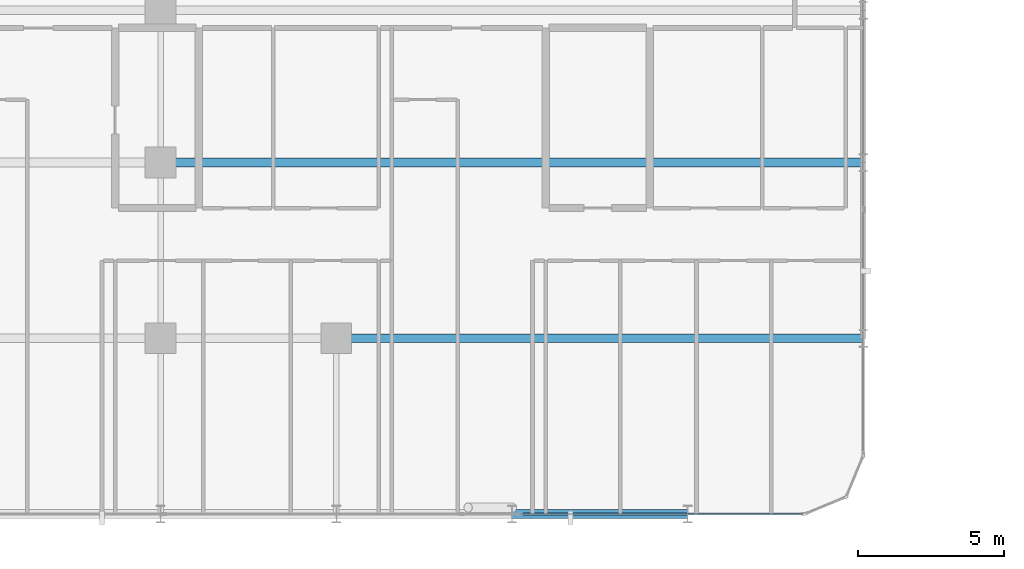
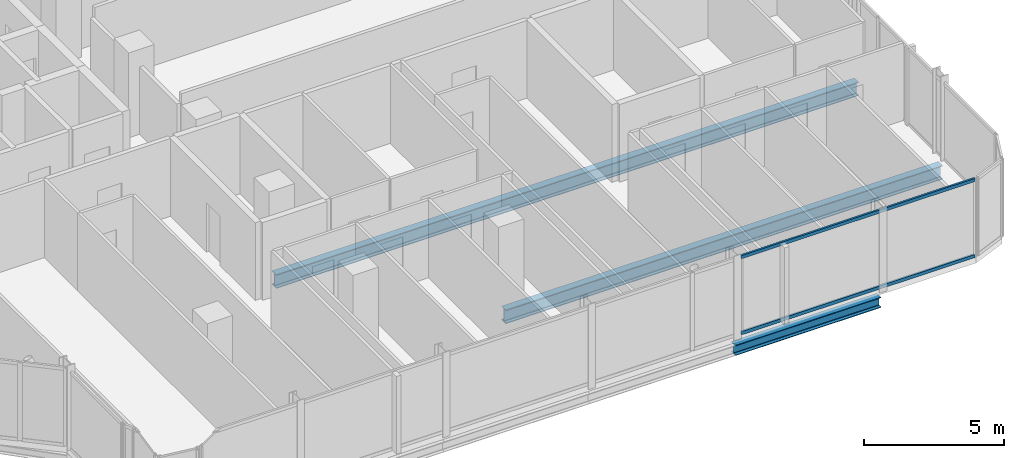
# One storey, part 9 of 30: 3 beams, 2 members, 1 element without a shape of its own.
"""IFC4 building model written with IfcOpenShell, lengths in metres."""

from ifc_helpers import new_model, si_unit, direction, frame, origin, origin_2d, place, context, subcontext, project, spatial, hollow_rectangle, i_section, extrude, material, layer, layer_set, material_profile, profile_set, type_object, element, aggregate, save


model = new_model("IFC4")

# Units and contexts
model_context = context("Model", 3, precision=1e-05, world=origin(), true_north=direction((0.0, 1.0)))
body_context = subcontext(model_context, "Body", "Model", "MODEL_VIEW")
ifc_project = project(units=[si_unit("LENGTHUNIT", "METRE"), si_unit("AREAUNIT", "SQUARE_METRE"), si_unit("VOLUMEUNIT", "CUBIC_METRE"), si_unit("PLANEANGLEUNIT", "RADIAN"), si_unit("MASSUNIT", "GRAM", prefix="KILO")], contexts=[model_context])

# Site, building, storey
site_placement = place(None, origin())
site = spatial("IfcSite", under=ifc_project, at=site_placement, CompositionType="ELEMENT")
building_placement = place(site_placement, origin())
building = spatial("IfcBuilding", under=site, at=building_placement, Name="Keshet Zoharim Tower", CompositionType="ELEMENT")
storey_placement = place(building_placement, frame((0.0, 0.0, 109.39990234375)))
storey = spatial("IfcBuildingStorey", under=building, at=storey_placement, Name="L26", CompositionType="ELEMENT", Elevation=109.39990234375)

# Beams
ifc_material_1 = material(Name="Steel S355", Category="steel")
ifc_material_profile_1 = material_profile(ifc_material_1, i_section(OverallWidth=0.300048828125, OverallDepth=0.60009765625, WebThickness=0.015380859375, FlangeThickness=0.030029296875, FilletRadius=0.027099609375, at=origin_2d()), Name="HEB600")
ifc_profile_set_1 = profile_set([ifc_material_profile_1], Name="Steel S355")
beam_type_1 = type_object("IfcBeamType", Name="BM-LNG-HB600", PredefinedType="BEAM", material=ifc_profile_set_1)
beam_1_placement = place(storey_placement, frame((39.0, 6.699951171875, -0.614990234375), z_axis=(1.0, 0.0, 0.0), x_axis=(0.0, 1.0, 0.0)))
element("IfcBeam", 1, at=beam_1_placement, inside=storey, type_object=beam_type_1, Name="L26 Primary Girder X-008", PredefinedType="BEAM", context=body_context, shape_type="SweptSolid", body=[
    extrude(i_section(OverallWidth=0.300048828125, OverallDepth=0.60009765625, WebThickness=0.015380859375, FlangeThickness=0.030029296875, FilletRadius=0.027099609375, at=origin_2d()), origin(), (0.0, 0.0, 1.0), 18.0),
])
beam_2_placement = place(storey_placement, frame((33.0, 12.699951171875, -0.614990234375), z_axis=(1.0, 0.0, 0.0), x_axis=(0.0, 1.0, 0.0)))
element("IfcBeam", 2, at=beam_2_placement, inside=storey, type_object=beam_type_1, Name="L26 Primary Girder X-010", PredefinedType="BEAM", context=body_context, shape_type="SweptSolid", body=[
    extrude(i_section(OverallWidth=0.300048828125, OverallDepth=0.60009765625, WebThickness=0.015380859375, FlangeThickness=0.030029296875, FilletRadius=0.027099609375, at=origin_2d()), origin(), (0.0, 0.0, 1.0), 24.0),
])
ifc_material_profile_2 = material_profile(ifc_material_1, i_section(OverallWidth=0.300048828125, OverallDepth=0.449951171875, WebThickness=0.013916015625, FlangeThickness=0.02587890625, FilletRadius=0.027099609375, at=origin_2d()), Name="HEB450")
ifc_profile_set_2 = profile_set([ifc_material_profile_2], Name="Steel S355")
beam_type_2 = type_object("IfcBeamType", Name="BM-WEB-HB450", PredefinedType="BEAM", material=ifc_profile_set_2)
beam_3_placement = place(storey_placement, frame((45.0, 0.699951171875, -0.539794921875), z_axis=(1.0, 0.0, 0.0), x_axis=(0.0, 1.0, 0.0)))
element("IfcBeam", 3, at=beam_3_placement, inside=storey, type_object=beam_type_2, Name="L26 Primary Girder X-004", PredefinedType="BEAM", context=body_context, shape_type="SweptSolid", body=[
    extrude(i_section(OverallWidth=0.300048828125, OverallDepth=0.449951171875, WebThickness=0.013916015625, FlangeThickness=0.02587890625, FilletRadius=0.027099609375, at=origin_2d()), origin(), (0.0, 0.0, 1.0), 6.0),
])

# Curtain wall, members
ifc_material_2 = material(Name="Aluminium 6063-T6", Category="aluminium")
ifc_layer = layer(ifc_material_2, 0.159912109375)
ifc_layer_set = layer_set([ifc_layer], Name="Aluminium 6063-T6")
curtain_wall_type = type_object("IfcCurtainWallType", Name="CW-SYS-03", PredefinedType="NOTDEFINED", material=ifc_layer_set)
curtain_wall_placement = place(storey_placement, origin())
curtain_wall = element("IfcCurtainWall", 4, at=curtain_wall_placement, inside=storey, type_object=curtain_wall_type, Name="L26 Unitised Curtain Wall 03", PredefinedType="NOTDEFINED")
ifc_material_profile_3 = material_profile(ifc_material_2, hollow_rectangle(XDim=0.080078125, YDim=0.139892578125, WallThickness=0.00390625, at=origin_2d()), Name="TRN-80x140")
ifc_profile_set_3 = profile_set([ifc_material_profile_3], Name="Aluminium 6063-T6")
member_type = type_object("IfcMemberType", Name="CWT-T14", PredefinedType="USERDEFINED", material=ifc_profile_set_3)
member_1_placement = place(storey_placement, frame((54.929931640625, 0.699951171875, 0.03515625), z_axis=(-1.0, 0.0, 0.0), x_axis=(0.0, -1.0, 0.0)))
member_1 = element("IfcMember", 5, at=member_1_placement, type_object=member_type, Name="CW-03 transom 1.1", ObjectType="TRANSOM", PredefinedType="USERDEFINED", context=body_context, shape_type="SweptSolid", body=[
    extrude(hollow_rectangle(XDim=0.080078125, YDim=0.139892578125, WallThickness=0.00390625, at=origin_2d()), origin(), (0.0, 0.0, 1.0), 9.61181640625),
])
member_2_placement = place(storey_placement, frame((54.929931640625, 0.699951171875, 3.35009765625), z_axis=(-1.0, 0.0, 0.0), x_axis=(0.0, -1.0, 0.0)))
member_2 = element("IfcMember", 6, at=member_2_placement, type_object=member_type, Name="CW-03 transom 1.2", ObjectType="TRANSOM", PredefinedType="USERDEFINED", context=body_context, shape_type="SweptSolid", body=[
    extrude(hollow_rectangle(XDim=0.080078125, YDim=0.139892578125, WallThickness=0.00390625, at=origin_2d()), origin(), (0.0, 0.0, 1.0), 9.61181640625),
])
aggregate(curtain_wall, [member_1, member_2])

save(model, "model.ifc")
